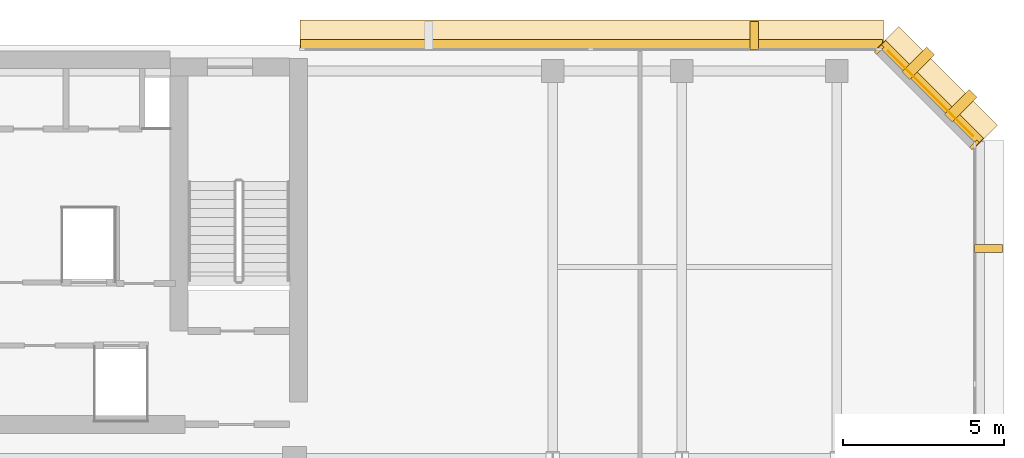
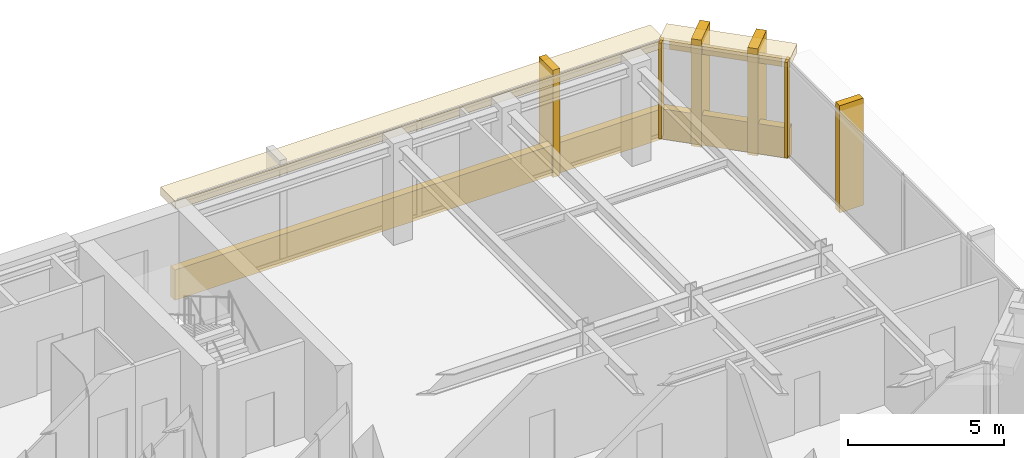
# One storey, part 12 of 12: 11 coverings.
"""IFC4 building model written with IfcOpenShell, lengths in metres."""

from ifc_helpers import new_model, si_unit, direction, frame, origin, origin_2d, place, context, subcontext, project, spatial, rectangle, extrude, material, layer, layer_set, type_object, element, save


model = new_model("IFC4")

# Units and contexts
model_context = context("Model", 3, precision=1e-05, world=origin(), true_north=direction((0.0, 1.0)))
body_context = subcontext(model_context, "Body", "Model", "MODEL_VIEW")
ifc_project = project(units=[si_unit("LENGTHUNIT", "METRE"), si_unit("AREAUNIT", "SQUARE_METRE"), si_unit("VOLUMEUNIT", "CUBIC_METRE"), si_unit("PLANEANGLEUNIT", "RADIAN"), si_unit("MASSUNIT", "GRAM", prefix="KILO")], contexts=[model_context])

# Site, building, storey
site_placement = place(None, origin())
site = spatial("IfcSite", under=ifc_project, at=site_placement, CompositionType="ELEMENT")
building_placement = place(site_placement, origin())
building = spatial("IfcBuilding", under=site, at=building_placement, Name="Kefirva Bronze Tower", CompositionType="ELEMENT")
storey_placement = place(building_placement, frame((0.0, 0.0, 280.169921875)))
storey = spatial("IfcBuildingStorey", under=building, at=storey_placement, Name="L68", CompositionType="ELEMENT", Elevation=280.169921875)

# Coverings
ifc_material = material(Name="Bronze anodised aluminium", Category="aluminium")
ifc_layer_1 = layer(ifc_material, 0.02001953125, Name="Bronze anodised aluminium")
ifc_layer_set_1 = layer_set([ifc_layer_1], Name="Bronze anodised aluminium")
covering_type_1 = type_object("IfcCoveringType", Name="Anodised Bronze Spandrel Cladding 20mm", PredefinedType="CLADDING", material=ifc_layer_set_1)
covering_1_placement = place(storey_placement, frame((42.906982421875, 44.507080078125, 3.320068359375), z_axis=(0.0, 0.0, 1.0), x_axis=(-0.707106781187, 0.707106781187, 0.0)))
element("IfcCovering", 1, at=covering_1_placement, inside=storey, type_object=covering_type_1, Name="L68 Bronze Spandrel Cladding 8", PredefinedType="CLADDING", context=body_context, shape_type="SweptSolid", body=[
    extrude(rectangle(XDim=3.719482421875, YDim=0.02001953125, at=origin_2d()), origin(), (0.0, 0.0, 1.0), 0.39990234375),
])
for number, where, z_axis, x_axis, name in (
    (2, (44.26220703125, 42.91162109375, 0.0), (0.0, 0.0, 1.0), (-0.707106781187, 0.707106781187, 0.0), "L68 Facade Joint Closure Panel 8S"),
    (3, (41.311767578125, 45.862060546875, 0.0), (0.0, 0.0, 1.0), (-0.707106781187, 0.707106781187, 0.0), "L68 Facade Joint Closure Panel 8E"),
):
    element("IfcCovering", number, at=place(storey_placement, frame(where, z_axis=z_axis, x_axis=x_axis)), inside=storey, type_object=covering_type_1, Name=name, PredefinedType="CLADDING", context=body_context, shape_type="SweptSolid", body=[
        extrude(rectangle(XDim=0.10009765625, YDim=0.320068359375, at=origin_2d()), origin(), (0.0, 0.0, 1.0), 3.739990234375),
    ])
covering_2_placement = place(storey_placement, frame((42.92822265625, 44.5283203125, -0.15966796875), z_axis=(0.0, 0.0, 1.0), x_axis=(-0.707106781187, 0.707106781187, 0.0)))
element("IfcCovering", 4, at=covering_2_placement, inside=storey, type_object=covering_type_1, Name="L68 Streamline Horizontal Spandrel Band 11", PredefinedType="CLADDING", context=body_context, shape_type="SweptSolid", body=[
    extrude(rectangle(XDim=4.28271484375, YDim=0.280029296875, at=origin_2d()), origin(), (0.0, 0.0, 1.0), 1.179931640625),
])
covering_3_placement = place(storey_placement, frame((32.402587890625, 46.0400390625, -0.15966796875), z_axis=(0.0, 0.0, 1.0), x_axis=(-1.0, 0.0, 0.0)))
element("IfcCovering", 5, at=covering_3_placement, inside=storey, type_object=covering_type_1, Name="L68 Streamline Horizontal Spandrel Band 12", PredefinedType="CLADDING", context=body_context, shape_type="SweptSolid", body=[
    extrude(rectangle(XDim=18.034912109375, YDim=0.280029296875, at=origin_2d()), origin(), (0.0, 0.0, 1.0), 1.179931640625),
])
ifc_layer_2 = layer(ifc_material, 0.179931640625, Name="Bronze anodised aluminium")
ifc_layer_set_2 = layer_set([ifc_layer_2], Name="Bronze anodised aluminium")
covering_type_2 = type_object("IfcCoveringType", Name="Streamline Bronze Sunshade Eyebrow Cladding 180mm", PredefinedType="CLADDING", material=ifc_layer_set_2)
covering_4_placement = place(storey_placement, frame((43.119140625, 44.71923828125, 3.419921875), z_axis=(0.0, 0.0, 1.0), x_axis=(-0.707106781187, 0.707106781187, 0.0)))
element("IfcCovering", 6, at=covering_4_placement, inside=storey, type_object=covering_type_2, Name="L68 Streamline Bronze Sunshade Eyebrow 11", PredefinedType="CLADDING", context=body_context, shape_type="SweptSolid", body=[
    extrude(rectangle(XDim=4.322509765625, YDim=0.93994140625, at=origin_2d()), origin(), (0.0, 0.0, 1.0), 0.320068359375),
])
covering_5_placement = place(storey_placement, frame((32.402587890625, 46.31005859375, 3.419921875), z_axis=(0.0, 0.0, 1.0), x_axis=(-1.0, 0.0, 0.0)))
element("IfcCovering", 7, at=covering_5_placement, inside=storey, type_object=covering_type_2, Name="L68 Streamline Bronze Sunshade Eyebrow 12", PredefinedType="CLADDING", context=body_context, shape_type="SweptSolid", body=[
    extrude(rectangle(XDim=18.074951171875, YDim=0.93994140625, at=origin_2d()), origin(), (0.0, 0.0, 1.0), 0.320068359375),
])
ifc_layer_3 = layer(ifc_material, 0.260009765625, Name="Bronze anodised aluminium")
ifc_layer_set_3 = layer_set([ifc_layer_3], Name="Bronze anodised aluminium")
covering_type_3 = type_object("IfcCoveringType", Name="Unbroken Bronze Buttress Fin Cladding 260mm", PredefinedType="CLADDING", material=ifc_layer_set_3)
covering_6_placement = place(storey_placement, frame((44.699951171875, 39.699951171875, -0.2197265625), z_axis=(0.0, 0.0, 1.0), x_axis=(0.0, 1.0, 0.0)))
element("IfcCovering", 8, at=covering_6_placement, inside=storey, type_object=covering_type_3, Name="L68 Unbroken Vertical Bronze Rib Fin 14", PredefinedType="CLADDING", context=body_context, shape_type="SweptSolid", body=[
    extrude(rectangle(XDim=0.260009765625, YDim=0.8798828125, at=origin_2d()), origin(), (0.0, 0.0, 1.0), 4.179931640625),
])
for number, where, z_axis, x_axis, name in (
    (9, (43.8427734375, 44.122802734375, -0.2197265625), (0.0, 0.0, 1.0), (-0.707106781187, 0.707106781187, 0.0), "L68 Chamfered Corner Buttress Fin Cladding 15"),
    (10, (42.522705078125, 45.44287109375, -0.2197265625), (0.0, 0.0, 1.0), (-0.707106781187, 0.707106781187, 0.0), "L68 Chamfered Corner Buttress Fin Cladding 16"),
):
    element("IfcCovering", number, at=place(storey_placement, frame(where, z_axis=z_axis, x_axis=x_axis)), inside=storey, type_object=covering_type_3, Name=name, PredefinedType="CLADDING", context=body_context, shape_type="SweptSolid", body=[
        extrude(rectangle(XDim=0.340087890625, YDim=1.080078125, at=origin_2d()), origin(), (0.0, 0.0, 1.0), 4.179931640625),
    ])
covering_7_placement = place(storey_placement, frame((37.441162109375, 46.300048828125, -0.2197265625), z_axis=(0.0, 0.0, 1.0), x_axis=(-1.0, 0.0, 0.0)))
element("IfcCovering", 11, at=covering_7_placement, inside=storey, type_object=covering_type_3, Name="L68 Unbroken Vertical Bronze Rib Fin 17", PredefinedType="CLADDING", context=body_context, shape_type="SweptSolid", body=[
    extrude(rectangle(XDim=0.260009765625, YDim=0.8798828125, at=origin_2d()), origin(), (0.0, 0.0, 1.0), 4.179931640625),
])

save(model, "model.ifc")
